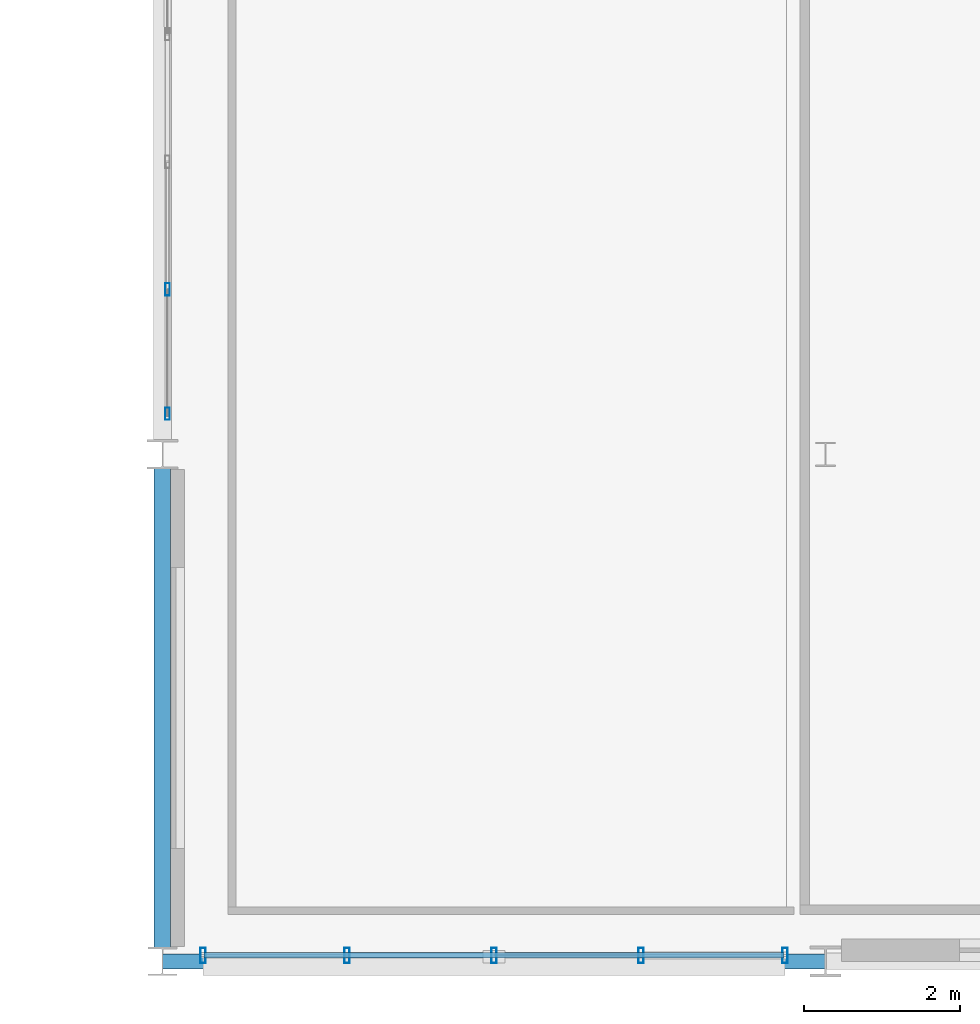
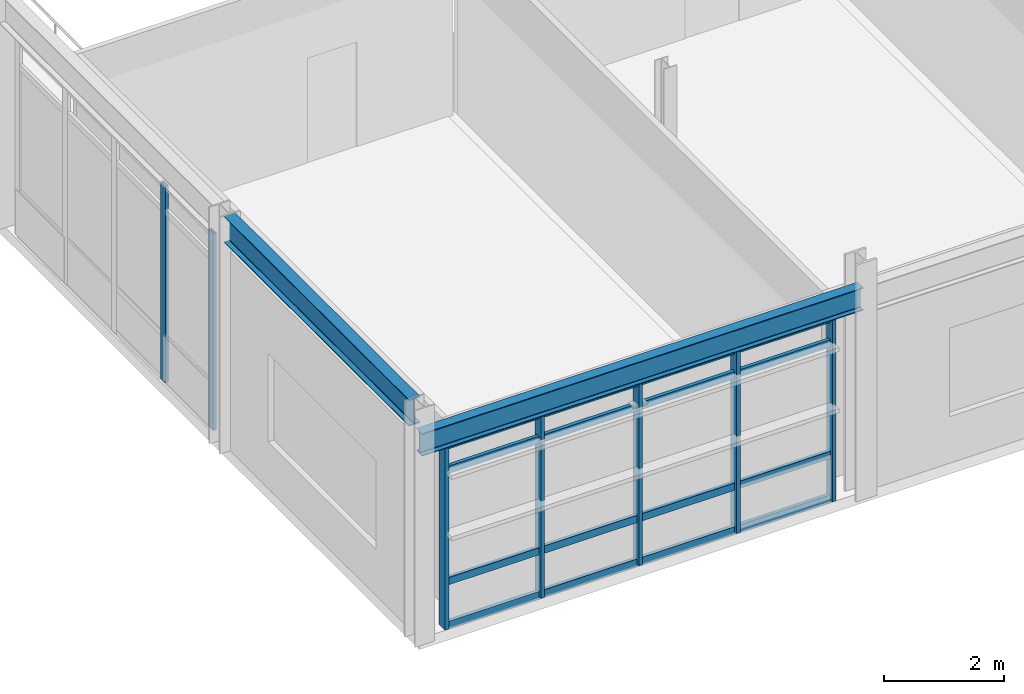
# One storey, part 16 of 56: 11 members, 2 beams, 2 elements without a shape of their own.
"""IFC4 building model written with IfcOpenShell, lengths in metres."""

from ifc_helpers import new_model, si_unit, direction, frame, origin, origin_2d, place, context, subcontext, project, spatial, hollow_rectangle, i_section, extrude, material, material_profile, profile_set, type_object, element, aggregate, save


model = new_model("IFC4")

# Units and contexts
model_context = context("Model", 3, precision=1e-05, world=origin(), true_north=direction((0.0, 1.0)))
body_context = subcontext(model_context, "Body", "Model", "MODEL_VIEW")
ifc_project = project(units=[si_unit("LENGTHUNIT", "METRE"), si_unit("AREAUNIT", "SQUARE_METRE"), si_unit("VOLUMEUNIT", "CUBIC_METRE"), si_unit("PLANEANGLEUNIT", "RADIAN"), si_unit("MASSUNIT", "GRAM", prefix="KILO"), si_unit("THERMODYNAMICTEMPERATUREUNIT", "KELVIN"), si_unit("POWERUNIT", "WATT")], contexts=[model_context])

# Site, building, storey
site_placement = place(None, origin())
site = spatial("IfcSite", under=ifc_project, at=site_placement, CompositionType="ELEMENT")
building_placement = place(site_placement, origin())
building = spatial("IfcBuilding", under=site, at=building_placement, Name="Tepalcoro Natatorium and Aquatics Centre", CompositionType="ELEMENT")
storey_placement = place(building_placement, frame((0.0, 0.0, 14.800048828125)))
storey = spatial("IfcBuildingStorey", under=building, at=storey_placement, Name="L03", CompositionType="ELEMENT", Elevation=14.800048828125)

# Curtain wall, members
ifc_material_1 = material(Name="Bronze-Anodised Extruded Aluminium Alloy EN AW-6063 T6", Category="aluminium")
curtain_wall_type_1 = type_object("IfcCurtainWallType", Name="CW_LEAN_T1_NS", PredefinedType="USERDEFINED", material=ifc_material_1)
curtain_wall_1_placement = place(storey_placement, origin())
curtain_wall_1 = element("IfcCurtainWall", 1, at=curtain_wall_1_placement, inside=storey, type_object=curtain_wall_type_1, Name="V2 L03 W Unitised Curtain Wall Bay 2", ObjectType="FACETED SOLAR GLAZING", PredefinedType="USERDEFINED")
ifc_material_profile_1 = material_profile(ifc_material_1, hollow_rectangle(XDim=0.06005859375, YDim=0.159912109375, WallThickness=0.00390625, at=origin_2d()), Name="AL60X160X4")
ifc_profile_set_1 = profile_set([ifc_material_profile_1], Name="Bronze-Anodised Extruded Aluminium Alloy EN AW-6063 T6")
member_type_1 = type_object("IfcMemberType", Name="CW_MUL_60x160", PredefinedType="MULLION", material=ifc_profile_set_1)
member_1_placement = place(storey_placement, frame((142.06494140625, 13.52001953125, 0.02001953125), z_axis=(0.0, 0.0, 1.0), x_axis=(1.0, 0.0, 0.0)))
member_1 = element("IfcMember", 2, at=member_1_placement, type_object=member_type_1, Name="CW_LEAN_T1_NS Curtain Wall Mullion", PredefinedType="MULLION", context=body_context, shape_type="SweptSolid", body=[
    extrude(hollow_rectangle(XDim=0.06005859375, YDim=0.159912109375, WallThickness=0.00390625, at=origin_2d()), origin(), (0.0, 0.0, 1.0), 4.010009765625),
])
member_2_placement = place(storey_placement, frame((142.06494140625, 15.114990234375, 0.02001953125), z_axis=(0.0, 0.0, 1.0), x_axis=(1.0, 0.0, 0.0)))
member_2 = element("IfcMember", 3, at=member_2_placement, type_object=member_type_1, Name="CW_LEAN_T1_NS Curtain Wall Mullion", PredefinedType="MULLION", context=body_context, shape_type="SweptSolid", body=[
    extrude(hollow_rectangle(XDim=0.06005859375, YDim=0.159912109375, WallThickness=0.00390625, at=origin_2d()), origin(), (0.0, 0.0, 1.0), 4.010009765625),
])
aggregate(curtain_wall_1, [member_1, member_2])

curtain_wall_type_2 = type_object("IfcCurtainWallType", Name="CW_V2_DIVING", PredefinedType="USERDEFINED", material=ifc_material_1)
curtain_wall_2_placement = place(storey_placement, origin())
curtain_wall_2 = element("IfcCurtainWall", 4, at=curtain_wall_2_placement, inside=storey, type_object=curtain_wall_type_2, Name="V2 L03 S Unitised Curtain Wall Bay 1", ObjectType="FACETED SOLAR GLAZING", PredefinedType="USERDEFINED")
ifc_material_profile_2 = material_profile(ifc_material_1, hollow_rectangle(XDim=0.070068359375, YDim=0.199951171875, WallThickness=0.0048828125, at=origin_2d()), Name="AL70X200X5")
ifc_profile_set_2 = profile_set([ifc_material_profile_2], Name="Bronze-Anodised Extruded Aluminium Alloy EN AW-6063 T6")
member_type_2 = type_object("IfcMemberType", Name="CW_MUL_70x200", PredefinedType="MULLION", material=ifc_profile_set_2)
member_3_placement = place(storey_placement, frame((142.52001953125, 6.576171875, 0.02001953125), z_axis=(0.0, 0.0, 1.0), x_axis=(1.0, 0.0, 0.0)))
member_3 = element("IfcMember", 5, at=member_3_placement, type_object=member_type_2, Name="CW_V2_DIVING Curtain Wall Mullion", PredefinedType="MULLION", context=body_context, shape_type="SweptSolid", body=[
    extrude(hollow_rectangle(XDim=0.070068359375, YDim=0.199951171875, WallThickness=0.0048828125, at=origin_2d()), origin(), (0.0, 0.0, 1.0), 3.719970703125),
])
member_4_placement = place(storey_placement, frame((144.364990234375, 6.576171875, 0.02001953125), z_axis=(0.0, 0.0, 1.0), x_axis=(1.0, 0.0, 0.0)))
member_4 = element("IfcMember", 6, at=member_4_placement, type_object=member_type_2, Name="CW_V2_DIVING Curtain Wall Mullion", PredefinedType="MULLION", context=body_context, shape_type="SweptSolid", body=[
    extrude(hollow_rectangle(XDim=0.070068359375, YDim=0.199951171875, WallThickness=0.0048828125, at=origin_2d()), origin(), (0.0, 0.0, 1.0), 3.719970703125),
])
member_5_placement = place(storey_placement, frame((146.25, 6.576171875, 0.02001953125), z_axis=(0.0, 0.0, 1.0), x_axis=(1.0, 0.0, 0.0)))
member_5 = element("IfcMember", 7, at=member_5_placement, type_object=member_type_2, Name="CW_V2_DIVING Curtain Wall Mullion", PredefinedType="MULLION", context=body_context, shape_type="SweptSolid", body=[
    extrude(hollow_rectangle(XDim=0.070068359375, YDim=0.199951171875, WallThickness=0.0048828125, at=origin_2d()), origin(), (0.0, 0.0, 1.0), 3.719970703125),
])
member_6_placement = place(storey_placement, frame((148.135009765625, 6.576171875, 0.02001953125), z_axis=(0.0, 0.0, 1.0), x_axis=(1.0, 0.0, 0.0)))
member_6 = element("IfcMember", 8, at=member_6_placement, type_object=member_type_2, Name="CW_V2_DIVING Curtain Wall Mullion", PredefinedType="MULLION", context=body_context, shape_type="SweptSolid", body=[
    extrude(hollow_rectangle(XDim=0.070068359375, YDim=0.199951171875, WallThickness=0.0048828125, at=origin_2d()), origin(), (0.0, 0.0, 1.0), 3.719970703125),
])
member_7_placement = place(storey_placement, frame((149.97998046875, 6.576171875, 0.02001953125), z_axis=(0.0, 0.0, 1.0), x_axis=(1.0, 0.0, 0.0)))
member_7 = element("IfcMember", 9, at=member_7_placement, type_object=member_type_2, Name="CW_V2_DIVING Curtain Wall Mullion", PredefinedType="MULLION", context=body_context, shape_type="SweptSolid", body=[
    extrude(hollow_rectangle(XDim=0.070068359375, YDim=0.199951171875, WallThickness=0.0048828125, at=origin_2d()), origin(), (0.0, 0.0, 1.0), 3.719970703125),
])
ifc_material_profile_3 = material_profile(ifc_material_1, hollow_rectangle(XDim=0.070068359375, YDim=0.14990234375, WallThickness=0.00390625, at=origin_2d()), Name="AL70X150X4")
ifc_profile_set_3 = profile_set([ifc_material_profile_3], Name="Bronze-Anodised Extruded Aluminium Alloy EN AW-6063 T6")
member_type_3 = type_object("IfcMemberType", Name="CW_TRN_70x150", PredefinedType="USERDEFINED", material=ifc_profile_set_3)
member_8_placement = place(storey_placement, frame((142.530029296875, 6.576171875, 0.050048828125), z_axis=(1.0, 0.0, 0.0), x_axis=(0.0, 1.0, 0.0)))
member_8 = element("IfcMember", 10, at=member_8_placement, type_object=member_type_3, Name="CW_V2_DIVING Curtain Wall Transom", ObjectType="TRANSOM", PredefinedType="USERDEFINED", context=body_context, shape_type="SweptSolid", body=[
    extrude(hollow_rectangle(XDim=0.070068359375, YDim=0.14990234375, WallThickness=0.00390625, at=origin_2d()), origin(), (0.0, 0.0, 1.0), 7.43994140625),
])
member_9_placement = place(storey_placement, frame((142.530029296875, 6.576171875, 0.93994140625), z_axis=(1.0, 0.0, 0.0), x_axis=(0.0, 1.0, 0.0)))
member_9 = element("IfcMember", 11, at=member_9_placement, type_object=member_type_3, Name="CW_V2_DIVING Curtain Wall Transom", ObjectType="TRANSOM", PredefinedType="USERDEFINED", context=body_context, shape_type="SweptSolid", body=[
    extrude(hollow_rectangle(XDim=0.070068359375, YDim=0.14990234375, WallThickness=0.00390625, at=origin_2d()), origin(), (0.0, 0.0, 1.0), 7.43994140625),
])
member_10_placement = place(storey_placement, frame((142.530029296875, 6.576171875, 3.2099609375), z_axis=(1.0, 0.0, 0.0), x_axis=(0.0, 1.0, 0.0)))
member_10 = element("IfcMember", 12, at=member_10_placement, type_object=member_type_3, Name="CW_V2_DIVING Curtain Wall Transom", ObjectType="TRANSOM", PredefinedType="USERDEFINED", context=body_context, shape_type="SweptSolid", body=[
    extrude(hollow_rectangle(XDim=0.070068359375, YDim=0.14990234375, WallThickness=0.00390625, at=origin_2d()), origin(), (0.0, 0.0, 1.0), 7.43994140625),
])
member_11_placement = place(storey_placement, frame((142.530029296875, 6.576171875, 3.7099609375), z_axis=(1.0, 0.0, 0.0), x_axis=(0.0, 1.0, 0.0)))
member_11 = element("IfcMember", 13, at=member_11_placement, type_object=member_type_3, Name="CW_V2_DIVING Curtain Wall Transom", ObjectType="TRANSOM", PredefinedType="USERDEFINED", context=body_context, shape_type="SweptSolid", body=[
    extrude(hollow_rectangle(XDim=0.070068359375, YDim=0.14990234375, WallThickness=0.00390625, at=origin_2d()), origin(), (0.0, 0.0, 1.0), 7.43994140625),
])
aggregate(curtain_wall_2, [member_3, member_4, member_5, member_6, member_7, member_8, member_9, member_10, member_11])

# Beams
ifc_material_2 = material(Name="Steel ASTM A992 Grade 50 (Fy 345 MPa)", Category="steel")
ifc_material_profile_4 = material_profile(ifc_material_2, i_section(OverallWidth=0.19091796875, OverallDepth=0.4599609375, WebThickness=0.010009765625, FlangeThickness=0.01611328125, FilletRadius=0.013916015625, at=origin_2d()), Name="W18X55")
ifc_profile_set_4 = profile_set([ifc_material_profile_4], Name="Steel ASTM A992 Grade 50 (Fy 345 MPa)")
beam_type_1 = type_object("IfcBeamType", Name="SP_W18x55", PredefinedType="SPANDREL", material=ifc_profile_set_4)
beam_1_placement = place(storey_placement, frame((142.0, 6.5, 4.0048828125), z_axis=(1.0, 0.0, 0.0), x_axis=(0.0, 1.0, 0.0)))
element("IfcBeam", 14, at=beam_1_placement, inside=storey, type_object=beam_type_1, Name="V2 L03 Grid Girder X", PredefinedType="SPANDREL", context=body_context, shape_type="SweptSolid", body=[
    extrude(i_section(OverallWidth=0.19091796875, OverallDepth=0.4599609375, WebThickness=0.010009765625, FlangeThickness=0.01611328125, FilletRadius=0.013916015625, at=origin_2d()), origin(), (0.0, 0.0, 1.0), 8.5),
])
ifc_material_profile_5 = material_profile(ifc_material_2, i_section(OverallWidth=0.2099609375, OverallDepth=0.535888671875, WebThickness=0.010986328125, FlangeThickness=0.01708984375, FilletRadius=0.013916015625, at=origin_2d()), Name="W21X68")
ifc_profile_set_5 = profile_set([ifc_material_profile_5], Name="Steel ASTM A992 Grade 50 (Fy 345 MPa)")
beam_type_2 = type_object("IfcBeamType", Name="SP_W21x68", PredefinedType="SPANDREL", material=ifc_profile_set_5)
beam_2_placement = place(storey_placement, frame((142.0, 6.6630859375, 4.536865234375), z_axis=(0.0, 1.0, 0.0), x_axis=(-1.0, 0.0, 0.0)))
element("IfcBeam", 15, at=beam_2_placement, inside=storey, type_object=beam_type_2, Name="V2 L03 Grid Girder Y", PredefinedType="SPANDREL", context=body_context, shape_type="SweptSolid", body=[
    extrude(i_section(OverallWidth=0.2099609375, OverallDepth=0.535888671875, WebThickness=0.010986328125, FlangeThickness=0.01708984375, FilletRadius=0.013916015625, at=origin_2d()), origin(), (0.0, 0.0, 1.0), 6.169921875),
])

save(model, "model.ifc")
